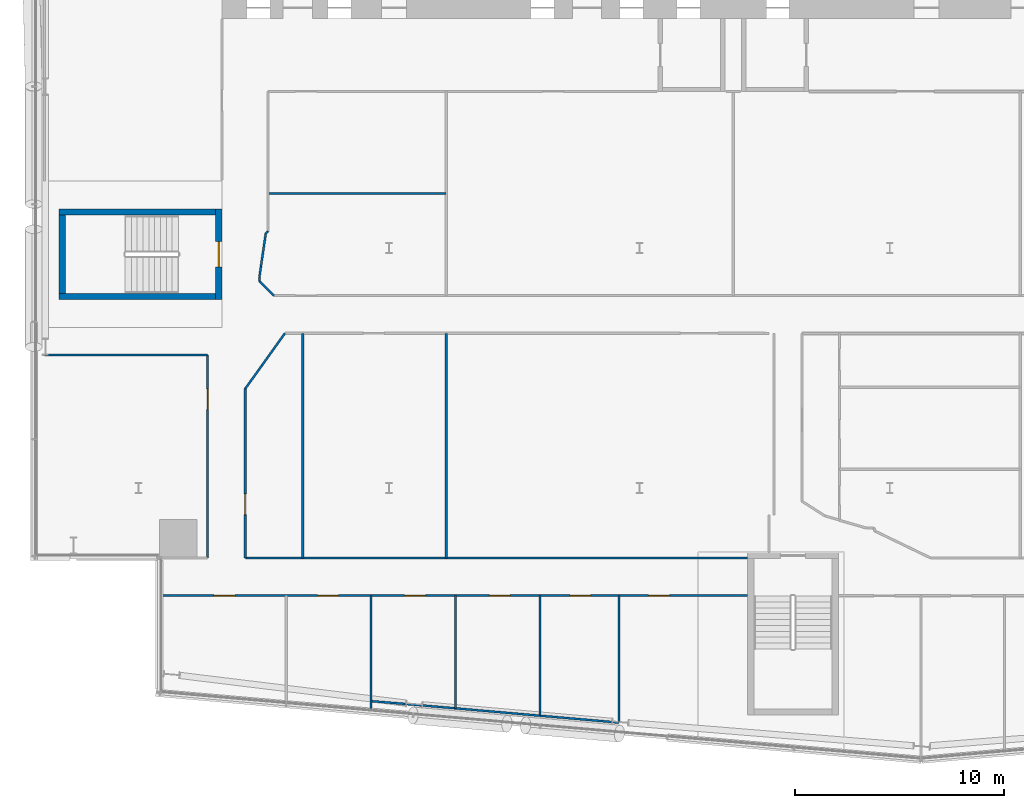
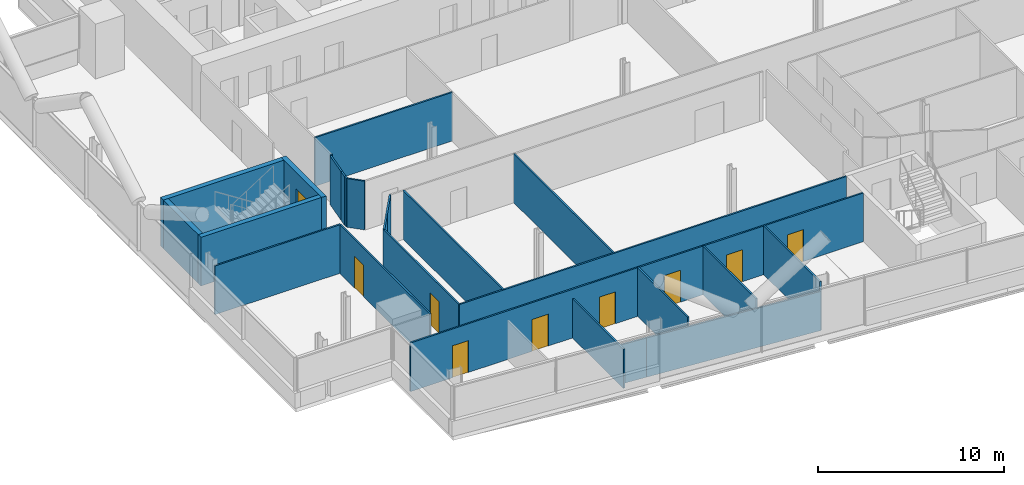
# One storey, part 14 of 28: 25 walls, 9 doors, 9 openings.
"""IFC4 building model written with IfcOpenShell, lengths in metres."""

from ifc_helpers import new_model, si_unit, direction, frame, frame_2d, origin, place, context, subcontext, project, spatial, rectangle, extrude, material, layer, layer_set, type_object, element, fill, save


model = new_model("IFC4")

# Units and contexts
model_context = context("Model", 3, precision=1e-05, world=origin(), true_north=direction((0.0, 1.0)))
body_context = subcontext(model_context, "Body", "Model", "MODEL_VIEW")
ifc_project = project(units=[si_unit("LENGTHUNIT", "METRE"), si_unit("AREAUNIT", "SQUARE_METRE"), si_unit("VOLUMEUNIT", "CUBIC_METRE"), si_unit("PLANEANGLEUNIT", "RADIAN"), si_unit("MASSUNIT", "GRAM", prefix="KILO")], contexts=[model_context])

# Site, building, storey
site_placement = place(None, origin())
site = spatial("IfcSite", under=ifc_project, at=site_placement, CompositionType="ELEMENT")
building_placement = place(site_placement, origin())
building = spatial("IfcBuilding", under=site, at=building_placement, Name="Wharfspan Tower", CompositionType="ELEMENT")
storey_placement = place(building_placement, frame((0.0, 0.0, 132.699951)))
storey = spatial("IfcBuildingStorey", under=building, at=storey_placement, Name="L31", CompositionType="ELEMENT", Elevation=132.699951)

# Wall
ifc_material_1 = material(Name="Gypsum board on steel studs", Category="steel")
ifc_layer_1 = layer(ifc_material_1, 0.100098)
ifc_layer_set_1 = layer_set([ifc_layer_1], Name="Gypsum board on steel studs")
wall_type_1 = type_object("IfcWallType", Name="Compartment wall 100 EI 60", PredefinedType="PARTITIONING", material=ifc_layer_set_1)
wall_1_placement = place(storey_placement, frame((7.51001, 17.86499, 0.0), z_axis=(0.0, 0.0, 1.0), x_axis=(1.0, 0.0, 0.0)))
element("IfcWall", 1, at=wall_1_placement, inside=storey, type_object=wall_type_1, Name="Partition L31.w001", PredefinedType="PARTITIONING", context=body_context, shape_type="SweptSolid", body=[
    extrude(rectangle(XDim=7.810059, YDim=0.100098, at=frame_2d((3.905029, 0.0))), origin(), (0.0, 0.0, 1.0), 3.199951),
])

# Wall, openings, doors
wall_2_placement = place(storey_placement, frame((13.02002, 6.344971, 0.0), z_axis=(0.0, 0.0, 1.0), x_axis=(1.0, 0.0, 0.0)))
wall_2 = element("IfcWall", 2, at=wall_2_placement, inside=storey, type_object=wall_type_1, Name="Partition L31.w003", PredefinedType="PARTITIONING", context=body_context, shape_type="SweptSolid", body=[
    extrude(rectangle(XDim=28.165283, YDim=0.100098, at=frame_2d((14.08252, 0.0))), origin(), (0.0, 0.0, 1.0), 3.199951),
])
opening_1_placement = place(wall_2_placement, frame((2.600098, 0.0, 0.0)))
opening_1 = element("IfcOpeningElement", 3, at=opening_1_placement, cuts=wall_2, Name="Opening B5-01", PredefinedType="OPENING", context=body_context, shape_type="SweptSolid", body=[
    extrude(rectangle(XDim=1.0, YDim=2.100098, at=frame_2d((0.5, 1.050049))), frame((0.0, 0.060059, 0.0), z_axis=(0.0, -1.0, 0.0), x_axis=(1.0, 0.0, 0.0)), (0.0, 0.0, 1.0), 0.120117),
])
opening_2_placement = place(wall_2_placement, frame((7.564941, 0.0, 0.0)))
opening_2 = element("IfcOpeningElement", 4, at=opening_2_placement, cuts=wall_2, Name="Opening B5-02", PredefinedType="OPENING", context=body_context, shape_type="SweptSolid", body=[
    extrude(rectangle(XDim=1.0, YDim=2.100098, at=frame_2d((0.5, 1.050049))), frame((0.0, 0.060059, 0.0), z_axis=(0.0, -1.0, 0.0), x_axis=(1.0, 0.0, 0.0)), (0.0, 0.0, 1.0), 0.120117),
])
opening_3_placement = place(wall_2_placement, frame((11.73999, 0.0, 0.0)))
opening_3 = element("IfcOpeningElement", 5, at=opening_3_placement, cuts=wall_2, Name="Opening B5-03", PredefinedType="OPENING", context=body_context, shape_type="SweptSolid", body=[
    extrude(rectangle(XDim=1.0, YDim=2.100098, at=frame_2d((0.5, 1.050049))), frame((0.0, 0.060059, 0.0), z_axis=(0.0, -1.0, 0.0), x_axis=(1.0, 0.0, 0.0)), (0.0, 0.0, 1.0), 0.120117),
])
opening_4_placement = place(wall_2_placement, frame((15.794922, 0.0, 0.0)))
opening_4 = element("IfcOpeningElement", 6, at=opening_4_placement, cuts=wall_2, Name="Opening B5-04", PredefinedType="OPENING", context=body_context, shape_type="SweptSolid", body=[
    extrude(rectangle(XDim=1.0, YDim=2.100098, at=frame_2d((0.5, 1.050049))), frame((0.0, 0.060059, 0.0), z_axis=(0.0, -1.0, 0.0), x_axis=(1.0, 0.0, 0.0)), (0.0, 0.0, 1.0), 0.120117),
])
opening_5_placement = place(wall_2_placement, frame((19.649902, 0.0, 0.0)))
opening_5 = element("IfcOpeningElement", 7, at=opening_5_placement, cuts=wall_2, Name="Opening B5-05", PredefinedType="OPENING", context=body_context, shape_type="SweptSolid", body=[
    extrude(rectangle(XDim=1.0, YDim=2.100098, at=frame_2d((0.5, 1.050049))), frame((0.0, 0.060059, 0.0), z_axis=(0.0, -1.0, 0.0), x_axis=(1.0, 0.0, 0.0)), (0.0, 0.0, 1.0), 0.120117),
])
opening_6_placement = place(wall_2_placement, frame((23.429932, 0.0, 0.0)))
opening_6 = element("IfcOpeningElement", 8, at=opening_6_placement, cuts=wall_2, Name="Opening B5-06", PredefinedType="OPENING", context=body_context, shape_type="SweptSolid", body=[
    extrude(rectangle(XDim=1.0, YDim=2.100098, at=frame_2d((0.5, 1.050049))), frame((0.0, 0.060059, 0.0), z_axis=(0.0, -1.0, 0.0), x_axis=(1.0, 0.0, 0.0)), (0.0, 0.0, 1.0), 0.120117),
])
ifc_material_2 = material(Name="Fire-rated timber door leaf in steel frame", Category="steel")
door_type_1 = type_object("IfcDoorType", Name="Door 1000 FD30S Left", OperationType="SINGLE_SWING_LEFT", PredefinedType="DOOR", material=ifc_material_2)
door_1_placement = place(opening_1_placement, origin())
door_1 = element("IfcDoor", 9, at=door_1_placement, inside=storey, type_object=door_type_1, Name="Door B5-01", OperationType="SINGLE_SWING_LEFT", OverallHeight=2.100098, OverallWidth=1.0, PredefinedType="DOOR", context=body_context, shape_type="SweptSolid", body=[
    extrude(rectangle(XDim=1.0, YDim=2.100098, at=frame_2d((0.5, 1.050049))), frame((0.0, 0.024902, 0.0), z_axis=(0.0, -1.0, 0.0), x_axis=(1.0, 0.0, 0.0)), (0.0, 0.0, 1.0), 0.050049),
])
fill(opening_1, door_1)
door_2_placement = place(opening_2_placement, origin())
door_2 = element("IfcDoor", 10, at=door_2_placement, inside=storey, type_object=door_type_1, Name="Door B5-02", OperationType="SINGLE_SWING_LEFT", OverallHeight=2.100098, OverallWidth=1.0, PredefinedType="DOOR", context=body_context, shape_type="SweptSolid", body=[
    extrude(rectangle(XDim=1.0, YDim=2.100098, at=frame_2d((0.5, 1.050049))), frame((0.0, 0.024902, 0.0), z_axis=(0.0, -1.0, 0.0), x_axis=(1.0, 0.0, 0.0)), (0.0, 0.0, 1.0), 0.050049),
])
fill(opening_2, door_2)
door_3_placement = place(opening_3_placement, origin())
door_3 = element("IfcDoor", 11, at=door_3_placement, inside=storey, type_object=door_type_1, Name="Door B5-03", OperationType="SINGLE_SWING_LEFT", OverallHeight=2.100098, OverallWidth=1.0, PredefinedType="DOOR", context=body_context, shape_type="SweptSolid", body=[
    extrude(rectangle(XDim=1.0, YDim=2.100098, at=frame_2d((0.5, 1.050049))), frame((0.0, 0.024902, 0.0), z_axis=(0.0, -1.0, 0.0), x_axis=(1.0, 0.0, 0.0)), (0.0, 0.0, 1.0), 0.050049),
])
fill(opening_3, door_3)
door_type_2 = type_object("IfcDoorType", Name="Door 1000 FD30S Right", OperationType="SINGLE_SWING_RIGHT", PredefinedType="DOOR", material=ifc_material_2)
door_4_placement = place(opening_4_placement, origin())
door_4 = element("IfcDoor", 12, at=door_4_placement, inside=storey, type_object=door_type_2, Name="Door B5-04", OperationType="SINGLE_SWING_RIGHT", OverallHeight=2.100098, OverallWidth=1.0, PredefinedType="DOOR", context=body_context, shape_type="SweptSolid", body=[
    extrude(rectangle(XDim=1.0, YDim=2.100098, at=frame_2d((0.5, 1.050049))), frame((0.0, 0.024902, 0.0), z_axis=(0.0, -1.0, 0.0), x_axis=(1.0, 0.0, 0.0)), (0.0, 0.0, 1.0), 0.050049),
])
fill(opening_4, door_4)
door_5_placement = place(opening_5_placement, origin())
door_5 = element("IfcDoor", 13, at=door_5_placement, inside=storey, type_object=door_type_2, Name="Door B5-05", OperationType="SINGLE_SWING_RIGHT", OverallHeight=2.100098, OverallWidth=1.0, PredefinedType="DOOR", context=body_context, shape_type="SweptSolid", body=[
    extrude(rectangle(XDim=1.0, YDim=2.100098, at=frame_2d((0.5, 1.050049))), frame((0.0, 0.024902, 0.0), z_axis=(0.0, -1.0, 0.0), x_axis=(1.0, 0.0, 0.0)), (0.0, 0.0, 1.0), 0.050049),
])
fill(opening_5, door_5)
door_6_placement = place(opening_6_placement, origin())
door_6 = element("IfcDoor", 14, at=door_6_placement, inside=storey, type_object=door_type_2, Name="Door B5-06", OperationType="SINGLE_SWING_RIGHT", OverallHeight=2.100098, OverallWidth=1.0, PredefinedType="DOOR", context=body_context, shape_type="SweptSolid", body=[
    extrude(rectangle(XDim=1.0, YDim=2.100098, at=frame_2d((0.5, 1.050049))), frame((0.0, 0.024902, 0.0), z_axis=(0.0, -1.0, 0.0), x_axis=(1.0, 0.0, 0.0)), (0.0, 0.0, 1.0), 0.050049),
])
fill(opening_6, door_6)

# Wall, opening, door
wall_3_placement = place(storey_placement, frame((15.320068, 8.149902, 0.0), z_axis=(0.0, 0.0, 1.0), x_axis=(0.0, 1.0, 0.0)))
wall_3 = element("IfcWall", 15, at=wall_3_placement, inside=storey, type_object=wall_type_1, Name="Partition L31.w005", PredefinedType="PARTITIONING", context=body_context, shape_type="SweptSolid", body=[
    extrude(rectangle(XDim=9.715088, YDim=0.100098, at=frame_2d((4.857422, 0.0))), origin(), (0.0, 0.0, 1.0), 3.199951),
])
opening_7_placement = place(wall_3_placement, frame((7.10498, 0.0, 0.0)))
opening_7 = element("IfcOpeningElement", 16, at=opening_7_placement, cuts=wall_3, Name="Opening B5-20", PredefinedType="OPENING", context=body_context, shape_type="SweptSolid", body=[
    extrude(rectangle(XDim=1.0, YDim=2.100098, at=frame_2d((0.5, 1.050049))), frame((0.0, 0.060059, 0.0), z_axis=(0.0, -1.0, 0.0), x_axis=(1.0, 0.0, 0.0)), (0.0, 0.0, 1.0), 0.120117),
])
door_7_placement = place(opening_7_placement, origin())
door_7 = element("IfcDoor", 17, at=door_7_placement, inside=storey, type_object=door_type_2, Name="Door B5-20", OperationType="SINGLE_SWING_RIGHT", OverallHeight=2.100098, OverallWidth=1.0, PredefinedType="DOOR", context=body_context, shape_type="SweptSolid", body=[
    extrude(rectangle(XDim=1.0, YDim=2.100098, at=frame_2d((0.5, 1.050049))), frame((0.0, 0.024902, 0.0), z_axis=(0.0, -1.0, 0.0), x_axis=(1.0, 0.0, 0.0)), (0.0, 0.0, 1.0), 0.050049),
])
fill(opening_7, door_7)

wall_4_placement = place(storey_placement, frame((17.120117, 8.149902, 0.0), z_axis=(0.0, 0.0, 1.0), x_axis=(0.0, 1.0, 0.0)))
wall_4 = element("IfcWall", 18, at=wall_4_placement, inside=storey, type_object=wall_type_1, Name="Partition L31.w007", PredefinedType="PARTITIONING", context=body_context, shape_type="SweptSolid", body=[
    extrude(rectangle(XDim=8.110107, YDim=0.100098, at=frame_2d((4.055176, 0.0))), origin(), (0.0, 0.0, 1.0), 3.199951),
])
opening_8_placement = place(wall_4_placement, frame((2.070068, 0.0, 0.0)))
opening_8 = element("IfcOpeningElement", 19, at=opening_8_placement, cuts=wall_4, Name="Opening B5-14", PredefinedType="OPENING", context=body_context, shape_type="SweptSolid", body=[
    extrude(rectangle(XDim=1.0, YDim=2.100098, at=frame_2d((0.5, 1.050049))), frame((0.0, 0.060059, 0.0), z_axis=(0.0, -1.0, 0.0), x_axis=(1.0, 0.0, 0.0)), (0.0, 0.0, 1.0), 0.120117),
])
door_8_placement = place(opening_8_placement, origin())
door_8 = element("IfcDoor", 20, at=door_8_placement, inside=storey, type_object=door_type_1, Name="Door B5-14", OperationType="SINGLE_SWING_LEFT", OverallHeight=2.100098, OverallWidth=1.0, PredefinedType="DOOR", context=body_context, shape_type="SweptSolid", body=[
    extrude(rectangle(XDim=1.0, YDim=2.100098, at=frame_2d((0.5, 1.050049))), frame((0.0, 0.024902, 0.0), z_axis=(0.0, -1.0, 0.0), x_axis=(1.0, 0.0, 0.0)), (0.0, 0.0, 1.0), 0.050049),
])
fill(opening_8, door_8)

# Walls
wall_5_placement = place(storey_placement, frame((17.120117, 8.149902, 0.0), z_axis=(0.0, 0.0, 1.0), x_axis=(1.0, 0.0, 0.0)))
element("IfcWall", 21, at=wall_5_placement, inside=storey, type_object=wall_type_1, Name="Partition L31.w008", PredefinedType="PARTITIONING", context=body_context, shape_type="SweptSolid", body=[
    extrude(rectangle(XDim=24.065186, YDim=0.100098, at=frame_2d((12.032715, 0.0))), origin(), (0.0, 0.0, 1.0), 3.199951),
])
wall_6_placement = place(storey_placement, frame((17.120117, 16.26001, 0.0), z_axis=(0.0, 0.0, 1.0), x_axis=(0.583811, 0.811893, 0.0)))
element("IfcWall", 22, at=wall_6_placement, inside=storey, type_object=wall_type_1, Name="Partition L31.w009", PredefinedType="PARTITIONING", context=body_context, shape_type="SweptSolid", body=[
    extrude(rectangle(XDim=1.36377, YDim=0.100098, at=frame_2d((0.681885, 0.0))), origin(), (0.0, 0.0, 1.0), 3.199951),
])
wall_7_placement = place(storey_placement, frame((17.800049, 21.419922, 0.0), z_axis=(0.0, 0.0, 1.0), x_axis=(0.0, 1.0, 0.0)))
element("IfcWall", 23, at=wall_7_placement, inside=storey, type_object=wall_type_1, Name="Partition L31.w010", PredefinedType="PARTITIONING", context=body_context, shape_type="SweptSolid", body=[
    extrude(rectangle(XDim=0.200195, YDim=0.100098, at=frame_2d((0.100098, 0.0))), origin(), (0.0, 0.0, 1.0), 3.199951),
])
wall_8_placement = place(storey_placement, frame((17.800049, 21.620117, 0.0), z_axis=(0.0, 0.0, 1.0), x_axis=(0.141559, 0.989927, 0.0)))
element("IfcWall", 24, at=wall_8_placement, inside=storey, type_object=wall_type_1, Name="Partition L31.w011", PredefinedType="PARTITIONING", context=body_context, shape_type="SweptSolid", body=[
    extrude(rectangle(XDim=0.494873, YDim=0.100098, at=frame_2d((0.247559, 0.0))), origin(), (0.0, 0.0, 1.0), 3.199951),
])
wall_9_placement = place(storey_placement, frame((17.870117, 22.110107, 0.0), z_axis=(0.0, 0.0, 1.0), x_axis=(0.145396, 0.989372, 0.0)))
element("IfcWall", 25, at=wall_9_placement, inside=storey, type_object=wall_type_1, Name="Partition L31.w012", PredefinedType="PARTITIONING", context=body_context, shape_type="SweptSolid", body=[
    extrude(rectangle(XDim=1.581787, YDim=0.100098, at=frame_2d((0.791016, 0.0))), origin(), (0.0, 0.0, 1.0), 3.199951),
])
wall_10_placement = place(storey_placement, frame((17.915039, 17.36499, 0.0), z_axis=(0.0, 0.0, 1.0), x_axis=(0.580403, 0.814333, 0.0)))
element("IfcWall", 26, at=wall_10_placement, inside=storey, type_object=wall_type_1, Name="Partition L31.w013", PredefinedType="PARTITIONING", context=body_context, shape_type="SweptSolid", body=[
    extrude(rectangle(XDim=1.904541, YDim=0.100098, at=frame_2d((0.952148, 0.0))), origin(), (0.0, 0.0, 1.0), 3.199951),
])
wall_11_placement = place(storey_placement, frame((18.100098, 23.685059, 0.0), z_axis=(0.0, 0.0, 1.0), x_axis=(0.65566, 0.755051, 0.0)))
element("IfcWall", 27, at=wall_11_placement, inside=storey, type_object=wall_type_1, Name="Partition L31.w014", PredefinedType="PARTITIONING", context=body_context, shape_type="SweptSolid", body=[
    extrude(rectangle(XDim=0.152344, YDim=0.100098, at=frame_2d((0.076172, 0.0))), origin(), (0.0, 0.0, 1.0), 3.199951),
])
wall_12_placement = place(storey_placement, frame((18.199951, 25.60498, 0.0), z_axis=(0.0, 0.0, 1.0), x_axis=(1.0, 0.0, 0.0)))
element("IfcWall", 28, at=wall_12_placement, inside=storey, type_object=wall_type_1, Name="Partition L31.w016", PredefinedType="PARTITIONING", context=body_context, shape_type="SweptSolid", body=[
    extrude(rectangle(XDim=8.550049, YDim=0.100098, at=frame_2d((4.274902, 0.0))), origin(), (0.0, 0.0, 1.0), 3.199951),
])
wall_13_placement = place(storey_placement, frame((18.504883, 20.715088, 0.0), z_axis=(0.0, 0.0, 1.0), x_axis=(-0.707107, 0.707107, 0.0)))
element("IfcWall", 29, at=wall_13_placement, inside=storey, type_object=wall_type_1, Name="Partition L31.w018", PredefinedType="PARTITIONING", context=body_context, shape_type="SweptSolid", body=[
    extrude(rectangle(XDim=0.996826, YDim=0.100098, at=frame_2d((0.498535, 0.0))), origin(), (0.0, 0.0, 1.0), 3.199951),
])
wall_14_placement = place(storey_placement, frame((19.875, 8.149902, 0.0), z_axis=(0.0, 0.0, 1.0), x_axis=(0.0, 1.0, 0.0)))
element("IfcWall", 30, at=wall_14_placement, inside=storey, type_object=wall_type_1, Name="Partition L31.w022", PredefinedType="PARTITIONING", context=body_context, shape_type="SweptSolid", body=[
    extrude(rectangle(XDim=10.765137, YDim=0.100098, at=frame_2d((5.382568, 0.0))), origin(), (0.0, 0.0, 1.0), 3.199951),
])
wall_15_placement = place(storey_placement, frame((23.139893, 0.824951, 0.0), z_axis=(0.0, 0.0, 1.0), x_axis=(0.0, 1.0, 0.0)))
element("IfcWall", 31, at=wall_15_placement, inside=storey, type_object=wall_type_1, Name="Partition L31.w023", PredefinedType="PARTITIONING", context=body_context, shape_type="SweptSolid", body=[
    extrude(rectangle(XDim=5.52002, YDim=0.100098, at=frame_2d((2.76001, 0.0))), origin(), (0.0, 0.0, 1.0), 2.580078),
])
wall_16_placement = place(storey_placement, frame((26.75, 8.149902, 0.0), z_axis=(0.0, 0.0, 1.0), x_axis=(0.0, 1.0, 0.0)))
element("IfcWall", 32, at=wall_16_placement, inside=storey, type_object=wall_type_1, Name="Partition L31.w026", PredefinedType="PARTITIONING", context=body_context, shape_type="SweptSolid", body=[
    extrude(rectangle(XDim=10.765137, YDim=0.100098, at=frame_2d((5.382568, 0.0))), origin(), (0.0, 0.0, 1.0), 3.199951),
])
wall_17_placement = place(storey_placement, frame((27.195068, 0.945068, 0.0), z_axis=(0.0, 0.0, 1.0), x_axis=(0.0, 1.0, 0.0)))
element("IfcWall", 33, at=wall_17_placement, inside=storey, type_object=wall_type_1, Name="Partition L31.w028", PredefinedType="PARTITIONING", context=body_context, shape_type="SweptSolid", body=[
    extrude(rectangle(XDim=5.399902, YDim=0.100098, at=frame_2d((2.699951, 0.0))), origin(), (0.0, 0.0, 1.0), 3.199951),
])
wall_18_placement = place(storey_placement, frame((31.25, 0.590088, 0.0), z_axis=(0.0, 0.0, 1.0), x_axis=(0.0, 1.0, 0.0)))
element("IfcWall", 34, at=wall_18_placement, inside=storey, type_object=wall_type_1, Name="Partition L31.w029", PredefinedType="PARTITIONING", context=body_context, shape_type="SweptSolid", body=[
    extrude(rectangle(XDim=5.754883, YDim=0.100098, at=frame_2d((2.877441, 0.0))), origin(), (0.0, 0.0, 1.0), 3.199951),
])
wall_19_placement = place(storey_placement, frame((35.030029, 0.26001, 0.0), z_axis=(0.0, 0.0, 1.0), x_axis=(0.0, 1.0, 0.0)))
element("IfcWall", 35, at=wall_19_placement, inside=storey, type_object=wall_type_1, Name="Partition L31.w030", PredefinedType="PARTITIONING", context=body_context, shape_type="SweptSolid", body=[
    extrude(rectangle(XDim=6.084961, YDim=0.100098, at=frame_2d((3.04248, 0.0))), origin(), (0.0, 0.0, 1.0), 3.199951),
])
ifc_layer_2 = layer(ifc_material_1, 0.100098)
ifc_layer_set_2 = layer_set([ifc_layer_2], Name="Gypsum board on steel studs")
wall_type_2 = type_object("IfcWallType", Name="Partition 100", PredefinedType="PARTITIONING", material=ifc_layer_set_2)
wall_20_placement = place(storey_placement, frame((24.715088, 1.159912, 0.0), z_axis=(0.0, 0.0, 1.0), x_axis=(-0.996654, 0.081685, 0.0)))
element("IfcWall", 36, at=wall_20_placement, inside=storey, type_object=wall_type_2, Name="Partition L31.w025", PredefinedType="PARTITIONING", context=body_context, shape_type="SweptSolid", body=[
    extrude(rectangle(XDim=1.530273, YDim=0.100098, at=frame_2d((0.765137, 0.0))), origin(), (0.0, 0.0, 1.0), 2.580078),
])
wall_21_placement = place(storey_placement, frame((35.030029, 0.26001, 0.0), z_axis=(0.0, 0.0, 1.0), x_axis=(-0.996214, 0.086976, 0.0)))
element("IfcWall", 37, at=wall_21_placement, inside=storey, type_object=wall_type_2, Name="Partition L31.w031", PredefinedType="PARTITIONING", context=body_context, shape_type="SweptSolid", body=[
    extrude(rectangle(XDim=10.352295, YDim=0.100098, at=frame_2d((5.17627, 0.0))), origin(), (0.0, 0.0, 1.0), 2.580078),
])

# Wall, opening, door
ifc_material_3 = material(Name="Concrete C40/50", Category="concrete")
ifc_layer_3 = layer(ifc_material_3, 0.300049)
ifc_layer_set_3 = layer_set([ifc_layer_3], Name="Concrete C40/50")
wall_type_3 = type_object("IfcWallType", Name="Stair core wall 300", PredefinedType="SHEAR", material=ifc_layer_set_3)
wall_22_placement = place(storey_placement, frame((15.850098, 20.524902, 0.0), z_axis=(0.0, 0.0, 1.0), x_axis=(0.0, 1.0, 0.0)))
wall_22 = element("IfcWall", 38, at=wall_22_placement, inside=storey, type_object=wall_type_3, Name="ST3 stair enclosure wall L31", PredefinedType="SHEAR", context=body_context, shape_type="SweptSolid", body=[
    extrude(rectangle(XDim=4.350098, YDim=0.300049, at=frame_2d((2.175049, 0.0))), origin(), (0.0, 0.0, 1.0), 3.199951),
])
opening_9_placement = place(wall_22_placement, frame((1.574951, 0.0, 0.0)))
opening_9 = element("IfcOpeningElement", 39, at=opening_9_placement, cuts=wall_22, Name="Opening SD3.L31", PredefinedType="OPENING", context=body_context, shape_type="SweptSolid", body=[
    extrude(rectangle(XDim=1.199951, YDim=2.100098, at=frame_2d((0.600098, 1.050049))), frame((0.0, 0.159912, 0.0), z_axis=(0.0, -1.0, 0.0), x_axis=(1.0, 0.0, 0.0)), (0.0, 0.0, 1.0), 0.320068),
])
ifc_material_4 = material(Name="Steel door leaf", Category="steel")
door_type_3 = type_object("IfcDoorType", Name="Stair door 1200x2100", OperationType="SINGLE_SWING_LEFT", PredefinedType="DOOR", material=ifc_material_4)
door_9_placement = place(opening_9_placement, origin())
door_9 = element("IfcDoor", 40, at=door_9_placement, inside=storey, type_object=door_type_3, Name="sd:L31:ST3z2", OperationType="SINGLE_SWING_RIGHT", OverallHeight=2.100098, OverallWidth=1.199951, PredefinedType="DOOR", context=body_context, shape_type="SweptSolid", body=[
    extrude(rectangle(XDim=1.199951, YDim=2.100098, at=frame_2d((0.600098, 1.050049))), frame((0.0, 0.024902, 0.0), z_axis=(0.0, -1.0, 0.0), x_axis=(1.0, 0.0, 0.0)), (0.0, 0.0, 1.0), 0.050049),
])
fill(opening_9, door_9)

# Walls
for number, where, z_axis, x_axis, name in (
    (41, (8.199951, 20.675049, 0.0), (0.0, 0.0, 1.0), (1.0, 0.0, 0.0), "ST3 stair enclosure wall L31"),
    (42, (8.199951, 24.725098, 0.0), (0.0, 0.0, 1.0), (1.0, 0.0, 0.0), "ST3 stair enclosure wall L31"),
):
    element("IfcWall", number, at=place(storey_placement, frame(where, z_axis=z_axis, x_axis=x_axis)), inside=storey, type_object=wall_type_3, Name=name, PredefinedType="SHEAR", context=body_context, shape_type="SweptSolid", body=[
        extrude(rectangle(XDim=7.5, YDim=0.300049, at=frame_2d((3.75, 0.0))), origin(), (0.0, 0.0, 1.0), 3.199951),
    ])
wall_23_placement = place(storey_placement, frame((8.350098, 20.824951, 0.0), z_axis=(0.0, 0.0, 1.0), x_axis=(0.0, 1.0, 0.0)))
element("IfcWall", 43, at=wall_23_placement, inside=storey, type_object=wall_type_3, Name="ST3 stair enclosure wall L31", PredefinedType="SHEAR", context=body_context, shape_type="SweptSolid", body=[
    extrude(rectangle(XDim=3.75, YDim=0.300049, at=frame_2d((1.875, 0.0))), origin(), (0.0, 0.0, 1.0), 3.199951),
])

save(model, "model.ifc")
